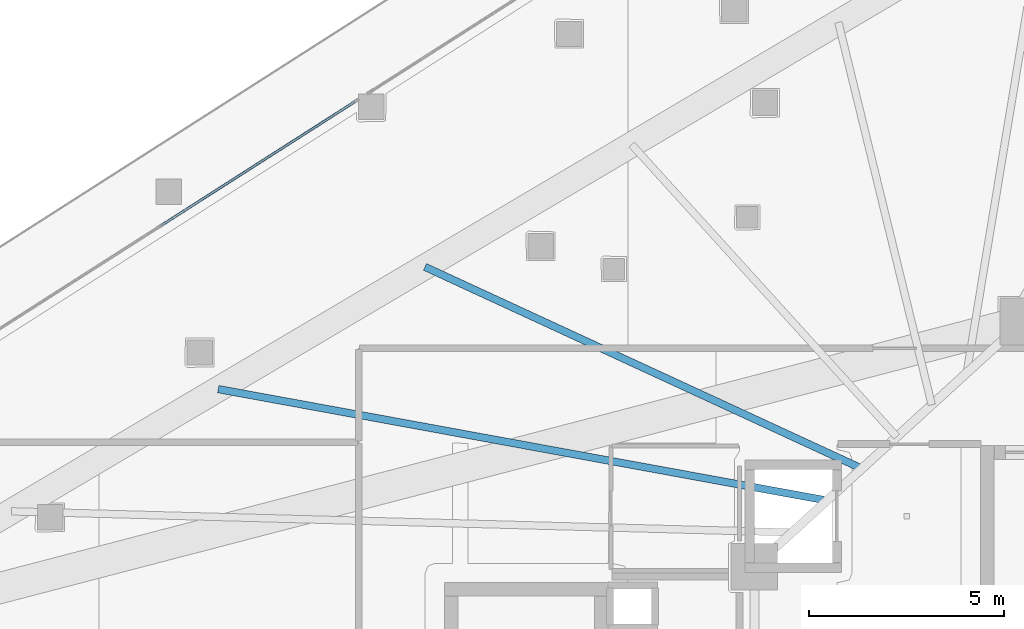
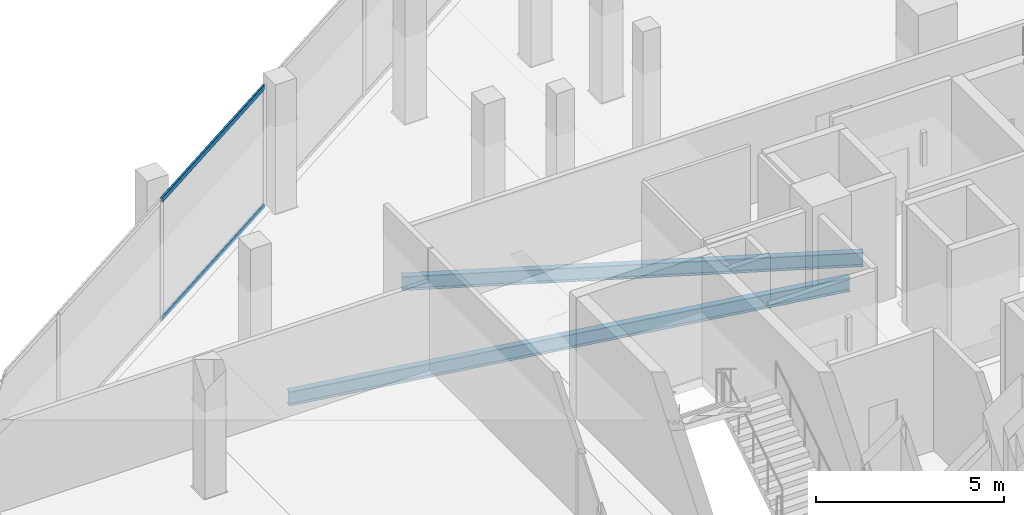
# One storey, part 15 of 42: 2 beams, 2 members, 1 element without a shape of its own.
"""IFC4 building model written with IfcOpenShell, lengths in metres."""

from ifc_helpers import new_model, si_unit, direction, frame, origin, origin_2d, place, context, subcontext, project, spatial, hollow_rectangle, i_section, extrude, material, layer, layer_set, material_profile, profile_set, type_object, element, aggregate, save


model = new_model("IFC4")

# Units and contexts
model_context = context("Model", 3, precision=1e-05, world=origin(), true_north=direction((0.0, 1.0)))
body_context = subcontext(model_context, "Body", "Model", "MODEL_VIEW")
ifc_project = project(units=[si_unit("LENGTHUNIT", "METRE"), si_unit("AREAUNIT", "SQUARE_METRE"), si_unit("VOLUMEUNIT", "CUBIC_METRE"), si_unit("PLANEANGLEUNIT", "RADIAN"), si_unit("MASSUNIT", "GRAM", prefix="KILO")], contexts=[model_context])

# Site, building, storey
site_placement = place(None, origin())
site = spatial("IfcSite", under=ifc_project, at=site_placement, CompositionType="ELEMENT")
building_placement = place(site_placement, origin())
building = spatial("IfcBuilding", under=site, at=building_placement, Name="Qorvath Tower", CompositionType="ELEMENT")
storey_placement = place(building_placement, frame((0.0, 0.0, 32.39990234375)))
storey = spatial("IfcBuildingStorey", under=building, at=storey_placement, Name="L06", CompositionType="ELEMENT", Elevation=32.39990234375)

# Beams
ifc_material_1 = material(Name="Steel ASTM A992 Grade 50", Category="steel")
ifc_material_profile_1 = material_profile(ifc_material_1, i_section(OverallWidth=0.18994140625, OverallDepth=0.45703125, WebThickness=0.009033203125, FlangeThickness=0.014404296875, FilletRadius=0.011962890625, at=origin_2d()), Name="W18x50")
ifc_profile_set_1 = profile_set([ifc_material_profile_1], Name="Steel ASTM A992 Grade 50")
beam_type = type_object("IfcBeamType", Name="BM-FJ2", PredefinedType="JOIST", material=ifc_profile_set_1)
beam_1_placement = place(storey_placement, frame((-28.636962890625, 6.85107421875, -0.50830078125), z_axis=(-0.983656498786, 0.180055248176, 0.0), x_axis=(-0.180055248176, -0.983656498786, 0.0)))
element("IfcBeam", 1, at=beam_1_placement, inside=storey, type_object=beam_type, Name="Composite Floor Joist NW2 L06", PredefinedType="JOIST", context=body_context, shape_type="SweptSolid", body=[
    extrude(i_section(OverallWidth=0.18994140625, OverallDepth=0.45703125, WebThickness=0.009033203125, FlangeThickness=0.014404296875, FilletRadius=0.011962890625, at=origin_2d()), origin(), (0.0, 0.0, 1.0), 15.884521484375),
])
beam_2_placement = place(storey_placement, frame((-27.739990234375, 7.669921875, -0.50830078125), z_axis=(-0.907881281747, 0.419227358665, 0.0), x_axis=(-0.419227358665, -0.907881281747, 0.0)))
element("IfcBeam", 2, at=beam_2_placement, inside=storey, type_object=beam_type, Name="Composite Floor Joist NW3 L06", PredefinedType="JOIST", context=body_context, shape_type="SweptSolid", body=[
    extrude(i_section(OverallWidth=0.18994140625, OverallDepth=0.45703125, WebThickness=0.009033203125, FlangeThickness=0.014404296875, FilletRadius=0.011962890625, at=origin_2d()), origin(), (0.0, 0.0, 1.0), 12.353515625),
])

# Curtain wall, members
ifc_material_2 = material(Name="Anodised aluminium and triple low-E glass", Category="aluminium")
ifc_layer = layer(ifc_material_2, 0.179931640625)
ifc_layer_set = layer_set([ifc_layer], Name="CW-SYS-2")
curtain_wall_type = type_object("IfcCurtainWallType", Name="CW-SYS-2", PredefinedType="NOTDEFINED", material=ifc_layer_set)
curtain_wall_placement = place(storey_placement, origin())
curtain_wall = element("IfcCurtainWall", 3, at=curtain_wall_placement, inside=storey, type_object=curtain_wall_type, Name="Curtain Wall CW-2 CW-T-L06-16.3", PredefinedType="NOTDEFINED")
ifc_material_3 = material(Name="Anodised aluminium 6063-T6", Category="aluminium")
ifc_material_profile_2 = material_profile(ifc_material_3, hollow_rectangle(XDim=0.06494140625, YDim=0.159912109375, WallThickness=0.00341796875, InnerFilletRadius=0.00341796875, OuterFilletRadius=0.007080078125, at=origin_2d()), Name="CWT 160x65")
ifc_profile_set_2 = profile_set([ifc_material_profile_2], Name="Anodised aluminium 6063-T6")
member_type = type_object("IfcMemberType", Name="CWT-160", PredefinedType="USERDEFINED", material=ifc_profile_set_2)
member_1_placement = place(storey_placement, frame((-40.757080078125, 17.087646484375, 0.032470703125), z_axis=(-0.84261640637, -0.538514244673, 0.0), x_axis=(0.538514244673, -0.84261640637, 0.0)))
member_1 = element("IfcMember", 4, at=member_1_placement, type_object=member_type, Name="CW-2 transom 1.1", ObjectType="TRANSOM", PredefinedType="USERDEFINED", context=body_context, shape_type="SweptSolid", body=[
    extrude(hollow_rectangle(XDim=0.06494140625, YDim=0.159912109375, WallThickness=0.00341796875, InnerFilletRadius=0.00341796875, OuterFilletRadius=0.007080078125, at=origin_2d()), origin(), (0.0, 0.0, 1.0), 5.89599609375),
])
member_2_placement = place(storey_placement, frame((-40.757080078125, 17.087646484375, 3.8876953125), z_axis=(-0.84261640637, -0.538514244673, 0.0), x_axis=(0.538514244673, -0.84261640637, 0.0)))
member_2 = element("IfcMember", 5, at=member_2_placement, type_object=member_type, Name="CW-2 transom 1.2", ObjectType="TRANSOM", PredefinedType="USERDEFINED", context=body_context, shape_type="SweptSolid", body=[
    extrude(hollow_rectangle(XDim=0.06494140625, YDim=0.159912109375, WallThickness=0.00341796875, InnerFilletRadius=0.00341796875, OuterFilletRadius=0.007080078125, at=origin_2d()), origin(), (0.0, 0.0, 1.0), 5.89599609375),
])
aggregate(curtain_wall, [member_1, member_2])

save(model, "model.ifc")
